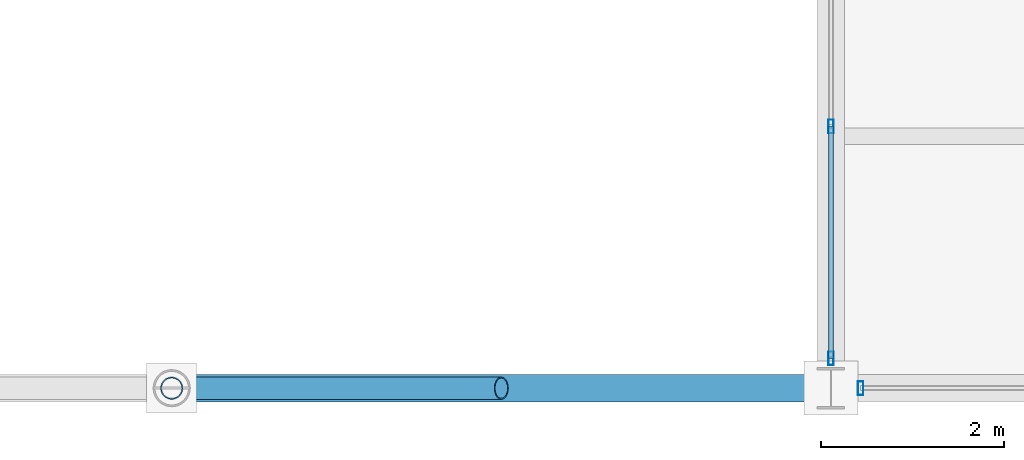
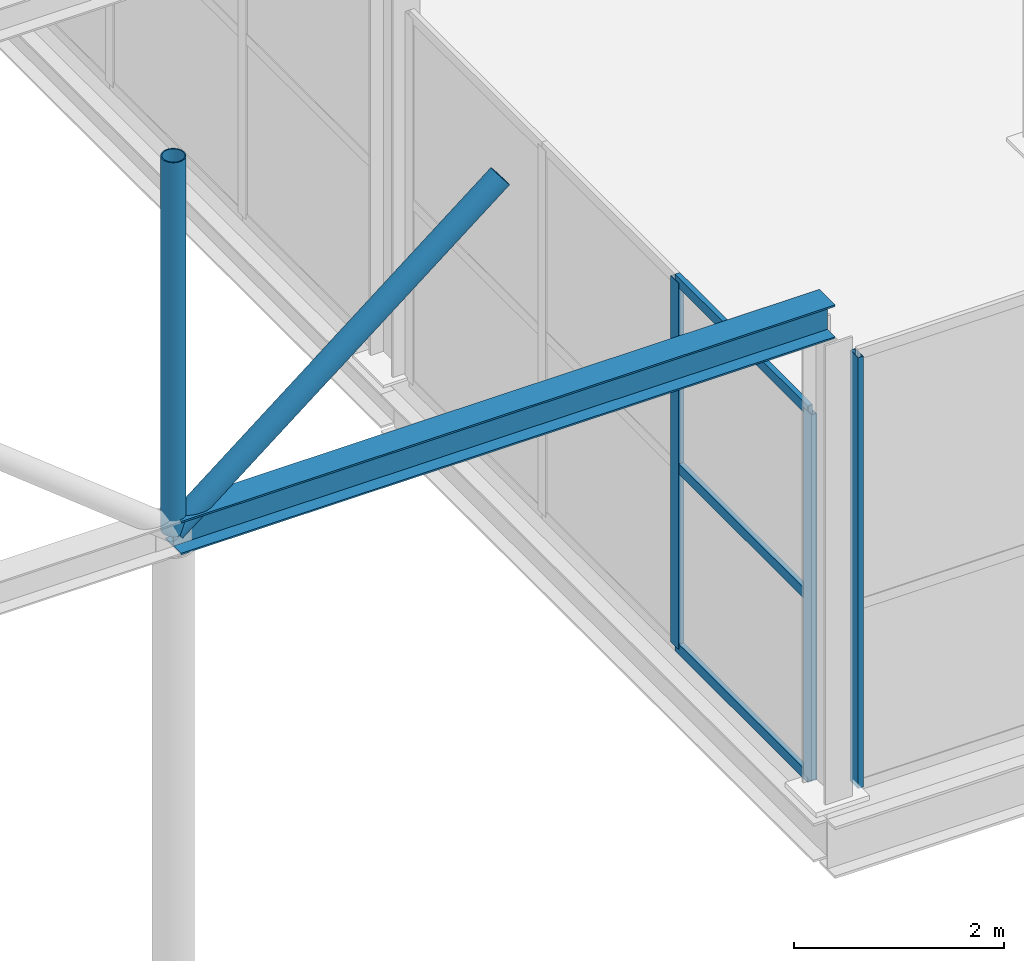
# One storey, part 19 of 147: 8 members, 1 beam, 2 elements without a shape of their own.
"""IFC4 building model written with IfcOpenShell, lengths in metres."""

from ifc_helpers import new_model, si_unit, direction, frame, origin, origin_2d, place, context, subcontext, project, spatial, hollow_rectangle, hollow_circle, i_section, extrude, material, layer, layer_set, material_profile, profile_set, type_object, element, aggregate, save


model = new_model("IFC4")

# Units and contexts
model_context = context("Model", 3, precision=1e-05, world=origin(), true_north=direction((0.0, 1.0)))
body_context = subcontext(model_context, "Body", "Model", "MODEL_VIEW")
ifc_project = project(units=[si_unit("LENGTHUNIT", "METRE"), si_unit("AREAUNIT", "SQUARE_METRE"), si_unit("VOLUMEUNIT", "CUBIC_METRE"), si_unit("PLANEANGLEUNIT", "RADIAN"), si_unit("MASSUNIT", "GRAM", prefix="KILO")], contexts=[model_context])

# Site, building, storey
site_placement = place(None, origin())
site = spatial("IfcSite", under=ifc_project, at=site_placement, CompositionType="ELEMENT")
building_placement = place(site_placement, origin())
building = spatial("IfcBuilding", under=site, at=building_placement, Name="Sundgate Opera House", CompositionType="ELEMENT")
storey_placement = place(building_placement, frame((0.0, 0.0, 6.0)))
storey = spatial("IfcBuildingStorey", under=building, at=storey_placement, Name="L01", CompositionType="ELEMENT", Elevation=6.0)

# Beam
ifc_material_1 = material(Name="Steel S355J2", Category="steel")
ifc_material_profile_1 = material_profile(ifc_material_1, i_section(OverallWidth=0.300048828125, OverallDepth=0.389892578125, WebThickness=0.010986328125, FlangeThickness=0.01904296875, at=origin_2d()), Name="HEA 400")
ifc_profile_set_1 = profile_set([ifc_material_profile_1], Name="Steel S355J2")
beam_type = type_object("IfcBeamType", Name="BM-GR-HEA400", PredefinedType="BEAM", material=ifc_profile_set_1)
beam_placement = place(storey_placement, frame((88.199951171875, 0.0, 5.5849609375), z_axis=(1.0, 0.0, 0.0), x_axis=(0.0, 1.0, 0.0)))
element("IfcBeam", 1, at=beam_placement, inside=storey, type_object=beam_type, Name="L01 Passage Arch Tie Beam B3392", PredefinedType="BEAM", context=body_context, shape_type="SweptSolid", body=[
    extrude(i_section(OverallWidth=0.300048828125, OverallDepth=0.389892578125, WebThickness=0.010986328125, FlangeThickness=0.01904296875, at=origin_2d()), origin(), (0.0, 0.0, 1.0), 7.199951171875),
])

# Curtain wall, member
ifc_material_2 = material(Name="Anodized aluminium and low-iron glass", Category="aluminium")
ifc_layer = layer(ifc_material_2, 0.14990234375)
ifc_layer_set = layer_set([ifc_layer], Name="Anodized aluminium and low-iron glass")
curtain_wall_type = type_object("IfcCurtainWallType", Name="CW-WORKSHOP-DARK", PredefinedType="NOTDEFINED", material=ifc_layer_set)
curtain_wall_1_placement = place(storey_placement, origin())
curtain_wall_1 = element("IfcCurtainWall", 2, at=curtain_wall_1_placement, inside=storey, type_object=curtain_wall_type, Name="L01 Curtain Wall CW135", PredefinedType="NOTDEFINED")
ifc_material_3 = material(Name="Anodized aluminium EN AW-6063", Category="aluminium")
ifc_material_profile_2 = material_profile(ifc_material_3, hollow_rectangle(XDim=0.06005859375, YDim=0.14990234375, WallThickness=0.00390625, at=origin_2d()), Name="CWM 150x60x4")
ifc_profile_set_2 = profile_set([ifc_material_profile_2], Name="Anodized aluminium EN AW-6063")
member_type_1 = type_object("IfcMemberType", Name="CWM-ALU-150x60", PredefinedType="MULLION", material=ifc_profile_set_2)
member_1_placement = place(storey_placement, frame((95.72509765625, 0.0, 0.0), z_axis=(0.0, 0.0, 1.0), x_axis=(1.0, 0.0, 0.0)))
member_1 = element("IfcMember", 3, at=member_1_placement, type_object=member_type_1, Name="CW135 Mullion 4", PredefinedType="MULLION", context=body_context, shape_type="SweptSolid", body=[
    extrude(hollow_rectangle(XDim=0.06005859375, YDim=0.14990234375, WallThickness=0.00390625, at=origin_2d()), origin(), (0.0, 0.0, 1.0), 5.014892578125),
])
aggregate(curtain_wall_1, [member_1])

# Curtain wall, members
curtain_wall_2_placement = place(storey_placement, origin())
curtain_wall_2 = element("IfcCurtainWall", 4, at=curtain_wall_2_placement, inside=storey, type_object=curtain_wall_type, Name="L01 Curtain Wall CW144", PredefinedType="NOTDEFINED")
member_2_placement = place(storey_placement, frame((95.39990234375, 2.8583984375, 0.0), z_axis=(0.0, 0.0, 1.0), x_axis=(1.0, 0.0, 0.0)))
member_2 = element("IfcMember", 5, at=member_2_placement, type_object=member_type_1, Name="CW144 Mullion 3", PredefinedType="MULLION", context=body_context, shape_type="SweptSolid", body=[
    extrude(hollow_rectangle(XDim=0.06005859375, YDim=0.14990234375, WallThickness=0.00390625, at=origin_2d()), origin(), (0.0, 0.0, 1.0), 4.264892578125),
])
member_3_placement = place(storey_placement, frame((95.39990234375, 0.324951171875, 0.0), z_axis=(0.0, 0.0, 1.0), x_axis=(1.0, 0.0, 0.0)))
member_3 = element("IfcMember", 6, at=member_3_placement, type_object=member_type_1, Name="CW144 Mullion 4", PredefinedType="MULLION", context=body_context, shape_type="SweptSolid", body=[
    extrude(hollow_rectangle(XDim=0.06005859375, YDim=0.14990234375, WallThickness=0.00390625, at=origin_2d()), origin(), (0.0, 0.0, 1.0), 4.264892578125),
])
ifc_material_4 = material(Name="Anodized aluminium EN AW-6063", Category="aluminium")
ifc_material_profile_3 = material_profile(ifc_material_4, hollow_rectangle(XDim=0.054931640625, YDim=0.1201171875, WallThickness=0.00390625, at=origin_2d()), Name="CWT 120x55x4")
ifc_profile_set_3 = profile_set([ifc_material_profile_3], Name="Anodized aluminium EN AW-6063")
member_type_2 = type_object("IfcMemberType", Name="CWT-ALU-120x55", PredefinedType="USERDEFINED", material=ifc_profile_set_3)
member_4_placement = place(storey_placement, frame((95.39990234375, 2.8583984375, 0.0), z_axis=(0.0, -1.0, 0.0), x_axis=(1.0, 0.0, 0.0)))
member_4 = element("IfcMember", 7, at=member_4_placement, type_object=member_type_2, Name="CW144 Transom 7", ObjectType="TRANSOM", PredefinedType="USERDEFINED", context=body_context, shape_type="SweptSolid", body=[
    extrude(hollow_rectangle(XDim=0.054931640625, YDim=0.1201171875, WallThickness=0.00390625, at=origin_2d()), origin(), (0.0, 0.0, 1.0), 2.533447265625),
])
member_5_placement = place(storey_placement, frame((95.39990234375, 2.8583984375, 2.10009765625), z_axis=(0.0, -1.0, 0.0), x_axis=(1.0, 0.0, 0.0)))
member_5 = element("IfcMember", 8, at=member_5_placement, type_object=member_type_2, Name="CW144 Transom 8", ObjectType="TRANSOM", PredefinedType="USERDEFINED", context=body_context, shape_type="SweptSolid", body=[
    extrude(hollow_rectangle(XDim=0.054931640625, YDim=0.1201171875, WallThickness=0.00390625, at=origin_2d()), origin(), (0.0, 0.0, 1.0), 2.533447265625),
])
member_6_placement = place(storey_placement, frame((95.39990234375, 2.8583984375, 4.264892578125), z_axis=(0.0, -1.0, 0.0), x_axis=(1.0, 0.0, 0.0)))
member_6 = element("IfcMember", 9, at=member_6_placement, type_object=member_type_2, Name="CW144 Transom 9", ObjectType="TRANSOM", PredefinedType="USERDEFINED", context=body_context, shape_type="SweptSolid", body=[
    extrude(hollow_rectangle(XDim=0.054931640625, YDim=0.1201171875, WallThickness=0.00390625, at=origin_2d()), origin(), (0.0, 0.0, 1.0), 2.533447265625),
])
aggregate(curtain_wall_2, [member_2, member_3, member_4, member_5, member_6])

# Members
ifc_material_5 = material(Name="Steel S355J2", Category="steel")
ifc_material_profile_4 = material_profile(ifc_material_5, hollow_circle(Radius=0.122314453125, WallThickness=0.012451171875, at=origin_2d()), Name="CHS 244.5x12.5")
ifc_profile_set_4 = profile_set([ifc_material_profile_4], Name="Steel S355J2")
member_type_3 = type_object("IfcMemberType", Name="MB-STRUT-CHS244", PredefinedType="STRUT", material=ifc_profile_set_4)
member_7_placement = place(storey_placement, frame((88.199951171875, 0.0, 5.594970703125), z_axis=(0.783526223691, 0.0, 0.621358718285), x_axis=(0.0, 1.0, 0.0)))
element("IfcMember", 10, at=member_7_placement, inside=storey, type_object=member_type_3, Name="Passage Arch Spandrel Strut M0277", PredefinedType="STRUT", context=body_context, shape_type="SweptSolid", body=[
    extrude(hollow_circle(Radius=0.122314453125, WallThickness=0.012451171875, at=origin_2d()), origin(), (0.0, 0.0, 1.0), 4.5947265625),
])
member_8_placement = place(storey_placement, frame((88.199951171875, 0.0, 5.594970703125), z_axis=(0.0, 0.0, 1.0), x_axis=(1.0, 0.0, 0.0)))
element("IfcMember", 11, at=member_8_placement, inside=storey, type_object=member_type_3, Name="Passage Arch Crown Post M0278", PredefinedType="STRUT", context=body_context, shape_type="SweptSolid", body=[
    extrude(hollow_circle(Radius=0.122314453125, WallThickness=0.012451171875, at=origin_2d()), origin(), (0.0, 0.0, 1.0), 4.35498046875),
])

save(model, "model.ifc")
